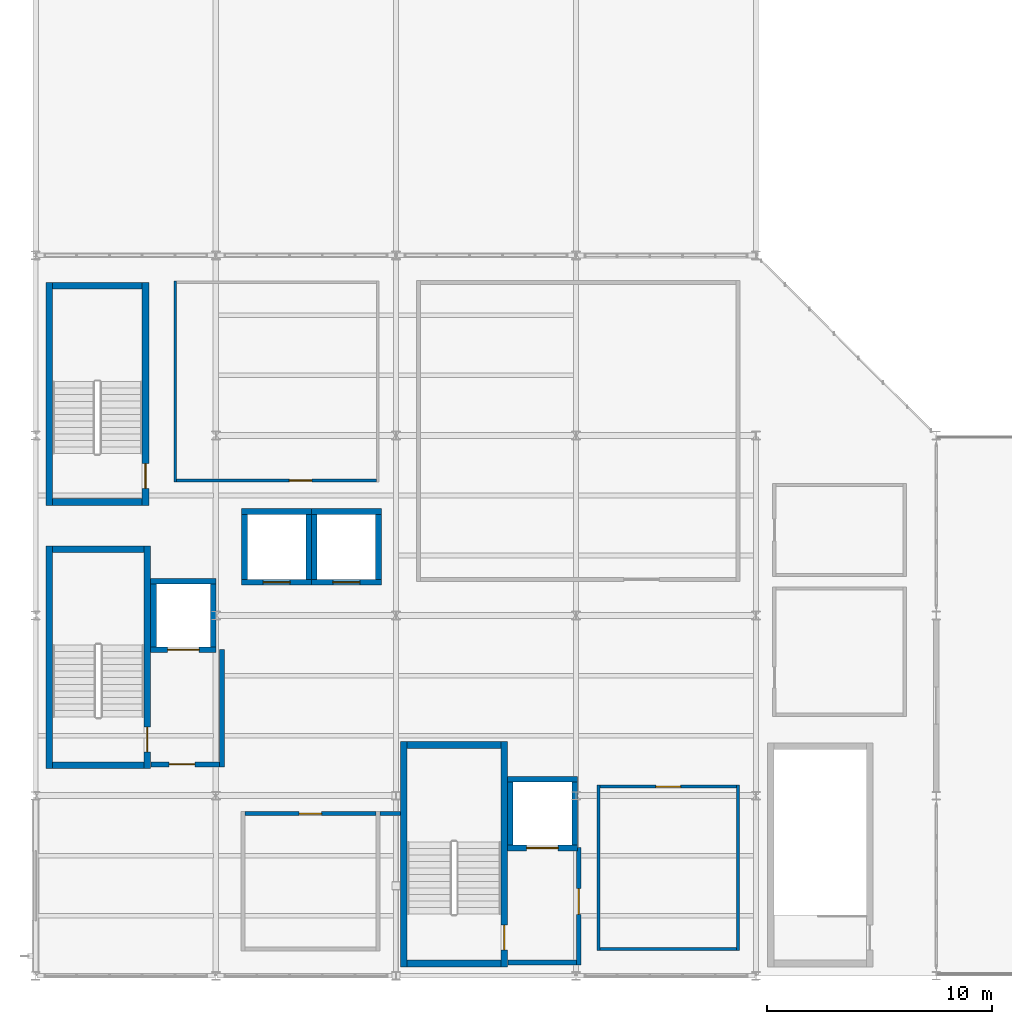
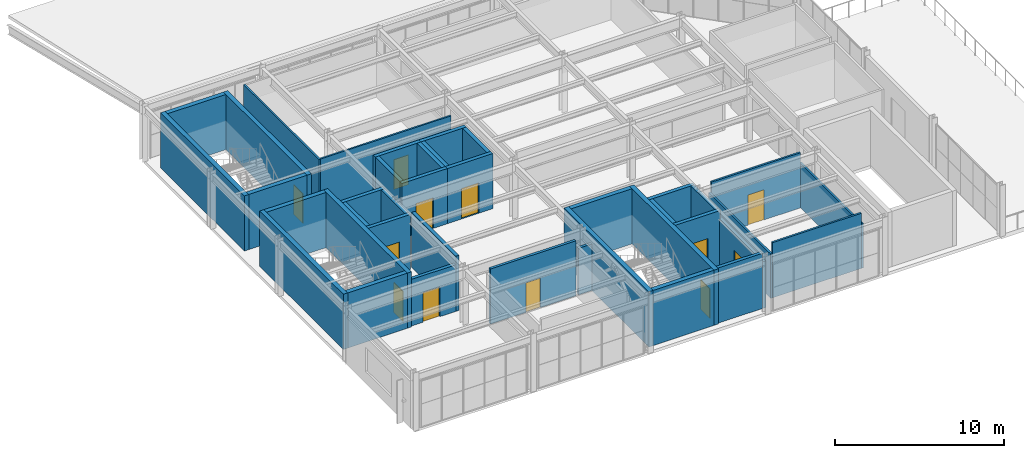
# One storey, part 20 of 27: 40 walls, 12 doors, 12 openings.
"""IFC4 building model written with IfcOpenShell, lengths in metres."""

from ifc_helpers import new_model, si_unit, direction, frame, frame_2d, origin, place, context, subcontext, project, spatial, rectangle, extrude, material, layer, layer_set, type_object, element, fill, save


model = new_model("IFC4")

# Units and contexts
model_context = context("Model", 3, precision=1e-05, world=origin(), true_north=direction((0.0, 1.0)))
body_context = subcontext(model_context, "Body", "Model", "MODEL_VIEW")
ifc_project = project(units=[si_unit("LENGTHUNIT", "METRE"), si_unit("AREAUNIT", "SQUARE_METRE"), si_unit("VOLUMEUNIT", "CUBIC_METRE"), si_unit("PLANEANGLEUNIT", "RADIAN"), si_unit("MASSUNIT", "GRAM", prefix="KILO")], contexts=[model_context])

# Site, building, storey
site_placement = place(None, origin())
site = spatial("IfcSite", under=ifc_project, at=site_placement, CompositionType="ELEMENT")
building_placement = place(site_placement, origin())
building = spatial("IfcBuilding", under=site, at=building_placement, Name="Drelvath Fold Interchange", CompositionType="ELEMENT")
storey_placement = place(building_placement, frame((0.0, 0.0, 19.800048828125)))
storey = spatial("IfcBuildingStorey", under=building, at=storey_placement, Name="L04", CompositionType="ELEMENT", Elevation=19.800048828125)

# Wall
ifc_material_1 = material(Name="Concrete f'c 45 MPa (6500 psi)", Category="concrete")
ifc_layer_1 = layer(ifc_material_1, 0.300048828125, Name="Concrete f'c 45 MPa (6500 psi)")
ifc_layer_set_1 = layer_set([ifc_layer_1], Name="Concrete f'c 45 MPa (6500 psi)")
wall_type_1 = type_object("IfcWallType", Name="WL-CR300", PredefinedType="SHEAR", material=ifc_layer_set_1)
wall_1_placement = place(storey_placement, frame((4.75, 12.35009765625, 0.0), z_axis=(0.0, 0.0, 1.0), x_axis=(1.0, 0.0, 0.0)))
element("IfcWall", 1, at=wall_1_placement, inside=storey, type_object=wall_type_1, Name="ST-01 L04 south core wall", PredefinedType="SHEAR", context=body_context, shape_type="SweptSolid", body=[
    extrude(rectangle(XDim=4.06005859375, YDim=0.300048828125, at=frame_2d((2.030029296875, 0.0))), origin(), (0.0, 0.0, 1.0), 3.97998046875),
])

# Wall, opening, door
wall_2_placement = place(storey_placement, frame((8.9599609375, 12.199951171875, 0.0), z_axis=(0.0, 0.0, 1.0), x_axis=(0.0, 1.0, 0.0)))
wall_2 = element("IfcWall", 2, at=wall_2_placement, inside=storey, type_object=wall_type_1, Name="ST-01 L04 east core wall", PredefinedType="SHEAR", context=body_context, shape_type="SweptSolid", body=[
    extrude(rectangle(XDim=9.900146484375, YDim=0.300048828125, at=frame_2d((4.9501953125, 0.0))), origin(), (0.0, 0.0, 1.0), 3.97998046875),
])
opening_1_placement = place(wall_2_placement, frame((0.75, 0.0, 0.0)))
opening_1 = element("IfcOpeningElement", 3, at=opening_1_placement, cuts=wall_2, Name="Opening D-L04-007", PredefinedType="OPENING", context=body_context, shape_type="SweptSolid", body=[
    extrude(rectangle(XDim=1.10009765625, YDim=2.14990234375, at=frame_2d((0.550048828125, 1.074951171875))), frame((0.0, 0.159912109375, 0.0), z_axis=(0.0, -1.0, 0.0), x_axis=(1.0, 0.0, 0.0)), (0.0, 0.0, 1.0), 0.320068359375),
])
ifc_material_2 = material(Name="Insulated Hollow Metal Door Assembly")
door_type_1 = type_object("IfcDoorType", Name="DR-ST1100", OperationType="NOTDEFINED", PredefinedType="DOOR", material=ifc_material_2)
door_1_placement = place(opening_1_placement, origin())
door_1 = element("IfcDoor", 4, at=door_1_placement, inside=storey, type_object=door_type_1, Name="ST-01 L04 stair fire door D-L04-007", OperationType="SINGLE_SWING_LEFT", OverallHeight=2.14990234375, OverallWidth=1.10009765625, PredefinedType="DOOR", context=body_context, shape_type="SweptSolid", body=[
    extrude(rectangle(XDim=1.10009765625, YDim=2.14990234375, at=frame_2d((0.550048828125, 1.074951171875))), frame((0.0, 0.02490234375, 0.0), z_axis=(0.0, -1.0, 0.0), x_axis=(1.0, 0.0, 0.0)), (0.0, 0.0, 1.0), 0.050048828125),
])
fill(opening_1, door_1)

# Walls
wall_3_placement = place(storey_placement, frame((8.81005859375, 21.949951171875, 0.0), z_axis=(0.0, 0.0, 1.0), x_axis=(-1.0, 0.0, 0.0)))
element("IfcWall", 5, at=wall_3_placement, inside=storey, type_object=wall_type_1, Name="ST-01 L04 north core wall", PredefinedType="SHEAR", context=body_context, shape_type="SweptSolid", body=[
    extrude(rectangle(XDim=4.06005859375, YDim=0.300048828125, at=frame_2d((2.030029296875, 0.0))), origin(), (0.0, 0.0, 1.0), 3.97998046875),
])
wall_4_placement = place(storey_placement, frame((4.60009765625, 22.10009765625, 0.0), z_axis=(0.0, 0.0, 1.0), x_axis=(0.0, -1.0, 0.0)))
element("IfcWall", 6, at=wall_4_placement, inside=storey, type_object=wall_type_1, Name="ST-01 L04 west core wall", PredefinedType="SHEAR", context=body_context, shape_type="SweptSolid", body=[
    extrude(rectangle(XDim=9.900146484375, YDim=0.300048828125, at=frame_2d((4.9501953125, 0.0))), origin(), (0.0, 0.0, 1.0), 3.97998046875),
])
wall_5_placement = place(storey_placement, frame((4.75, 24.050048828125, 0.0), z_axis=(0.0, 0.0, 1.0), x_axis=(1.0, 0.0, 0.0)))
element("IfcWall", 7, at=wall_5_placement, inside=storey, type_object=wall_type_1, Name="ST-02 L04 south core wall", PredefinedType="SHEAR", context=body_context, shape_type="SweptSolid", body=[
    extrude(rectangle(XDim=3.97998046875, YDim=0.300048828125, at=frame_2d((1.989990234375, 0.0))), origin(), (0.0, 0.0, 1.0), 3.97998046875),
])

# Wall, opening, door
wall_6_placement = place(storey_placement, frame((8.8798828125, 23.89990234375, 0.0), z_axis=(0.0, 0.0, 1.0), x_axis=(0.0, 1.0, 0.0)))
wall_6 = element("IfcWall", 8, at=wall_6_placement, inside=storey, type_object=wall_type_1, Name="ST-02 L04 east core wall", PredefinedType="SHEAR", context=body_context, shape_type="SweptSolid", body=[
    extrude(rectangle(XDim=9.900146484375, YDim=0.300048828125, at=frame_2d((4.9501953125, 0.0))), origin(), (0.0, 0.0, 1.0), 3.97998046875),
])
opening_2_placement = place(wall_6_placement, frame((0.75, 0.0, 0.0)))
opening_2 = element("IfcOpeningElement", 9, at=opening_2_placement, cuts=wall_6, Name="Opening D-L04-015", PredefinedType="OPENING", context=body_context, shape_type="SweptSolid", body=[
    extrude(rectangle(XDim=1.10009765625, YDim=2.14990234375, at=frame_2d((0.550048828125, 1.074951171875))), frame((0.0, 0.159912109375, 0.0), z_axis=(0.0, -1.0, 0.0), x_axis=(1.0, 0.0, 0.0)), (0.0, 0.0, 1.0), 0.320068359375),
])
door_2_placement = place(opening_2_placement, origin())
door_2 = element("IfcDoor", 10, at=door_2_placement, inside=storey, type_object=door_type_1, Name="ST-02 L04 stair fire door D-L04-015", OperationType="SINGLE_SWING_LEFT", OverallHeight=2.14990234375, OverallWidth=1.10009765625, PredefinedType="DOOR", context=body_context, shape_type="SweptSolid", body=[
    extrude(rectangle(XDim=1.10009765625, YDim=2.14990234375, at=frame_2d((0.550048828125, 1.074951171875))), frame((0.0, 0.02490234375, 0.0), z_axis=(0.0, -1.0, 0.0), x_axis=(1.0, 0.0, 0.0)), (0.0, 0.0, 1.0), 0.050048828125),
])
fill(opening_2, door_2)

# Walls
wall_7_placement = place(storey_placement, frame((8.72998046875, 33.64990234375, 0.0), z_axis=(0.0, 0.0, 1.0), x_axis=(-1.0, 0.0, 0.0)))
element("IfcWall", 11, at=wall_7_placement, inside=storey, type_object=wall_type_1, Name="ST-02 L04 north core wall", PredefinedType="SHEAR", context=body_context, shape_type="SweptSolid", body=[
    extrude(rectangle(XDim=3.97998046875, YDim=0.300048828125, at=frame_2d((1.989990234375, 0.0))), origin(), (0.0, 0.0, 1.0), 3.97998046875),
])
wall_8_placement = place(storey_placement, frame((4.60009765625, 33.800048828125, 0.0), z_axis=(0.0, 0.0, 1.0), x_axis=(0.0, -1.0, 0.0)))
element("IfcWall", 12, at=wall_8_placement, inside=storey, type_object=wall_type_1, Name="ST-02 L04 west core wall", PredefinedType="SHEAR", context=body_context, shape_type="SweptSolid", body=[
    extrude(rectangle(XDim=9.900146484375, YDim=0.300048828125, at=frame_2d((4.9501953125, 0.0))), origin(), (0.0, 0.0, 1.0), 3.97998046875),
])
wall_9_placement = place(storey_placement, frame((20.5, 3.550048828125, 0.0), z_axis=(0.0, 0.0, 1.0), x_axis=(1.0, 0.0, 0.0)))
element("IfcWall", 13, at=wall_9_placement, inside=storey, type_object=wall_type_1, Name="ST-03 L04 south core wall", PredefinedType="SHEAR", context=body_context, shape_type="SweptSolid", body=[
    extrude(rectangle(XDim=4.159912109375, YDim=0.300048828125, at=frame_2d((2.080078125, 0.0))), origin(), (0.0, 0.0, 1.0), 3.97998046875),
])

# Wall, opening, door
wall_10_placement = place(storey_placement, frame((24.81005859375, 3.39990234375, 0.0), z_axis=(0.0, 0.0, 1.0), x_axis=(0.0, 1.0, 0.0)))
wall_10 = element("IfcWall", 14, at=wall_10_placement, inside=storey, type_object=wall_type_1, Name="ST-03 L04 east core wall", PredefinedType="SHEAR", context=body_context, shape_type="SweptSolid", body=[
    extrude(rectangle(XDim=10.0, YDim=0.300048828125, at=frame_2d((5.0, 0.0))), origin(), (0.0, 0.0, 1.0), 3.97998046875),
])
opening_3_placement = place(wall_10_placement, frame((0.75, 0.0, 0.0)))
opening_3 = element("IfcOpeningElement", 15, at=opening_3_placement, cuts=wall_10, Name="Opening D-L04-023", PredefinedType="OPENING", context=body_context, shape_type="SweptSolid", body=[
    extrude(rectangle(XDim=1.10009765625, YDim=2.14990234375, at=frame_2d((0.550048828125, 1.074951171875))), frame((0.0, 0.159912109375, 0.0), z_axis=(0.0, -1.0, 0.0), x_axis=(1.0, 0.0, 0.0)), (0.0, 0.0, 1.0), 0.320068359375),
])
door_3_placement = place(opening_3_placement, origin())
door_3 = element("IfcDoor", 16, at=door_3_placement, inside=storey, type_object=door_type_1, Name="ST-03 L04 stair fire door D-L04-023", OperationType="SINGLE_SWING_LEFT", OverallHeight=2.14990234375, OverallWidth=1.10009765625, PredefinedType="DOOR", context=body_context, shape_type="SweptSolid", body=[
    extrude(rectangle(XDim=1.10009765625, YDim=2.14990234375, at=frame_2d((0.550048828125, 1.074951171875))), frame((0.0, 0.02490234375, 0.0), z_axis=(0.0, -1.0, 0.0), x_axis=(1.0, 0.0, 0.0)), (0.0, 0.0, 1.0), 0.050048828125),
])
fill(opening_3, door_3)

# Walls
wall_11_placement = place(storey_placement, frame((24.659912109375, 13.25, 0.0), z_axis=(0.0, 0.0, 1.0), x_axis=(-1.0, 0.0, 0.0)))
element("IfcWall", 17, at=wall_11_placement, inside=storey, type_object=wall_type_1, Name="ST-03 L04 north core wall", PredefinedType="SHEAR", context=body_context, shape_type="SweptSolid", body=[
    extrude(rectangle(XDim=4.159912109375, YDim=0.300048828125, at=frame_2d((2.080078125, 0.0))), origin(), (0.0, 0.0, 1.0), 3.97998046875),
])
wall_12_placement = place(storey_placement, frame((20.35009765625, 13.39990234375, 0.0), z_axis=(0.0, 0.0, 1.0), x_axis=(0.0, -1.0, 0.0)))
element("IfcWall", 18, at=wall_12_placement, inside=storey, type_object=wall_type_1, Name="ST-03 L04 west core wall", PredefinedType="SHEAR", context=body_context, shape_type="SweptSolid", body=[
    extrude(rectangle(XDim=10.0, YDim=0.300048828125, at=frame_2d((5.0, 0.0))), origin(), (0.0, 0.0, 1.0), 3.97998046875),
])

# Wall, opening, door
ifc_layer_2 = layer(ifc_material_1, 0.219970703125, Name="Concrete f'c 45 MPa (6500 psi)")
ifc_layer_set_2 = layer_set([ifc_layer_2], Name="Concrete f'c 45 MPa (6500 psi)")
wall_type_2 = type_object("IfcWallType", Name="WL-FF220", PredefinedType="SOLIDWALL", material=ifc_layer_set_2)
wall_13_placement = place(storey_placement, frame((9.1201171875, 12.389892578125, 0.0), z_axis=(0.0, 0.0, 1.0), x_axis=(1.0, 0.0, 0.0)))
wall_13 = element("IfcWall", 19, at=wall_13_placement, inside=storey, type_object=wall_type_2, Name="Firefighting Lift Lobby FF-1 L04 south rated wall", PredefinedType="SOLIDWALL", context=body_context, shape_type="SweptSolid", body=[
    extrude(rectangle(XDim=3.039794921875, YDim=0.219970703125, at=frame_2d((1.52001953125, 0.0))), origin(), (0.0, 0.0, 1.0), 3.364013671875),
])
opening_4_placement = place(wall_13_placement, frame((0.804931640625, 0.0, 0.0)))
opening_4 = element("IfcOpeningElement", 20, at=opening_4_placement, cuts=wall_13, Name="Opening D-L04-054", PredefinedType="OPENING", context=body_context, shape_type="SweptSolid", body=[
    extrude(rectangle(XDim=1.14990234375, YDim=2.14990234375, at=frame_2d((0.574951171875, 1.074951171875))), frame((0.0, 0.119873046875, 0.0), z_axis=(0.0, -1.0, 0.0), x_axis=(1.0, 0.0, 0.0)), (0.0, 0.0, 1.0), 0.239990234375),
])
door_type_2 = type_object("IfcDoorType", Name="DR-FF1150", OperationType="NOTDEFINED", PredefinedType="DOOR", material=ifc_material_2)
door_4_placement = place(opening_4_placement, frame((1.14990234375, 0.0, 0.0), z_axis=(0.0, 0.0, 1.0), x_axis=(-1.0, 0.0, 0.0)))
door_4 = element("IfcDoor", 21, at=door_4_placement, inside=storey, type_object=door_type_2, Name="Firefighting Lift Lobby FF-1 L04 corridor fire door D-L04-054", OperationType="SINGLE_SWING_RIGHT", OverallHeight=2.14990234375, OverallWidth=1.14990234375, PredefinedType="DOOR", context=body_context, shape_type="SweptSolid", body=[
    extrude(rectangle(XDim=1.14990234375, YDim=2.14990234375, at=frame_2d((0.574951171875, 1.074951171875))), frame((0.0, 0.02490234375, 0.0), z_axis=(0.0, -1.0, 0.0), x_axis=(1.0, 0.0, 0.0)), (0.0, 0.0, 1.0), 0.050048828125),
])
fill(opening_4, door_4)

# Walls
wall_14_placement = place(storey_placement, frame((12.27001953125, 12.280029296875, 0.0), z_axis=(0.0, 0.0, 1.0), x_axis=(0.0, 1.0, 0.0)))
element("IfcWall", 22, at=wall_14_placement, inside=storey, type_object=wall_type_2, Name="Firefighting Lift Lobby FF-1 L04 east rated wall", PredefinedType="SOLIDWALL", context=body_context, shape_type="SweptSolid", body=[
    extrude(rectangle(XDim=5.2099609375, YDim=0.219970703125, at=frame_2d((2.60498046875, 0.0))), origin(), (0.0, 0.0, 1.0), 3.97998046875),
])
wall_15_placement = place(storey_placement, frame((24.969970703125, 3.590087890625, 0.0), z_axis=(0.0, 0.0, 1.0), x_axis=(1.0, 0.0, 0.0)))
element("IfcWall", 23, at=wall_15_placement, inside=storey, type_object=wall_type_2, Name="Firefighting Lift Lobby FF-2 L04 south rated wall", PredefinedType="SOLIDWALL", context=body_context, shape_type="SweptSolid", body=[
    extrude(rectangle(XDim=3.0400390625, YDim=0.219970703125, at=frame_2d((1.52001953125, 0.0))), origin(), (0.0, 0.0, 1.0), 3.97998046875),
])

# Wall, opening, door
wall_16_placement = place(storey_placement, frame((28.1201171875, 3.47998046875, 0.0), z_axis=(0.0, 0.0, 1.0), x_axis=(0.0, 1.0, 0.0)))
wall_16 = element("IfcWall", 24, at=wall_16_placement, inside=storey, type_object=wall_type_2, Name="Firefighting Lift Lobby FF-2 L04 east rated wall", PredefinedType="SOLIDWALL", context=body_context, shape_type="SweptSolid", body=[
    extrude(rectangle(XDim=5.2099609375, YDim=0.219970703125, at=frame_2d((2.60498046875, 0.0))), origin(), (0.0, 0.0, 1.0), 3.364013671875),
])
opening_5_placement = place(wall_16_placement, frame((2.2451171875, 0.0, 0.0)))
opening_5 = element("IfcOpeningElement", 25, at=opening_5_placement, cuts=wall_16, Name="Opening D-L04-062", PredefinedType="OPENING", context=body_context, shape_type="SweptSolid", body=[
    extrude(rectangle(XDim=1.14990234375, YDim=2.14990234375, at=frame_2d((0.574951171875, 1.074951171875))), frame((0.0, 0.119873046875, 0.0), z_axis=(0.0, -1.0, 0.0), x_axis=(1.0, 0.0, 0.0)), (0.0, 0.0, 1.0), 0.239990234375),
])
door_5_placement = place(opening_5_placement, origin())
door_5 = element("IfcDoor", 26, at=door_5_placement, inside=storey, type_object=door_type_2, Name="Firefighting Lift Lobby FF-2 L04 corridor fire door D-L04-062", OperationType="SINGLE_SWING_RIGHT", OverallHeight=2.14990234375, OverallWidth=1.14990234375, PredefinedType="DOOR", context=body_context, shape_type="SweptSolid", body=[
    extrude(rectangle(XDim=1.14990234375, YDim=2.14990234375, at=frame_2d((0.574951171875, 1.074951171875))), frame((0.0, 0.02490234375, 0.0), z_axis=(0.0, -1.0, 0.0), x_axis=(1.0, 0.0, 0.0)), (0.0, 0.0, 1.0), 0.050048828125),
])
fill(opening_5, door_5)

# Wall
ifc_material_3 = material(Name="Fire-Rated Gypsum Board Assembly")
ifc_layer_3 = layer(ifc_material_3, 0.179931640625, Name="Fire-Rated Gypsum Board Assembly")
ifc_layer_set_3 = layer_set([ifc_layer_3], Name="Fire-Rated Gypsum Board Assembly")
wall_type_3 = type_object("IfcWallType", Name="WL-FR180", PredefinedType="PARTITIONING", material=ifc_layer_set_3)
wall_17_placement = place(storey_placement, frame((19.2900390625, 10.199951171875, 0.0), z_axis=(0.0, 0.0, 1.0), x_axis=(1.0, 0.0, 0.0)))
element("IfcWall", 27, at=wall_17_placement, inside=storey, type_object=wall_type_3, Name="L04 braced frame shaft closure partition", PredefinedType="PARTITIONING", context=body_context, shape_type="SweptSolid", body=[
    extrude(rectangle(XDim=0.909912109375, YDim=0.179931640625, at=frame_2d((0.455078125, 0.0))), origin(), (0.0, 0.0, 1.0), 3.364013671875),
])

# Wall, opening, door
wall_18_placement = place(storey_placement, frame((19.110107421875, 10.199951171875, 0.0), z_axis=(0.0, 0.0, 1.0), x_axis=(-1.0, 0.0, 0.0)))
wall_18 = element("IfcWall", 28, at=wall_18_placement, inside=storey, type_object=wall_type_3, Name="Emergency Radio Dispatch Room N partition", PredefinedType="PARTITIONING", context=body_context, shape_type="SweptSolid", body=[
    extrude(rectangle(XDim=5.820068359375, YDim=0.179931640625, at=frame_2d((2.91015625, 0.0))), origin(), (0.0, 0.0, 1.0), 3.97998046875),
])
opening_6_placement = place(wall_18_placement, frame((2.409912109375, 0.0, 0.0)))
opening_6 = element("IfcOpeningElement", 29, at=opening_6_placement, cuts=wall_18, Name="Opening D-L04-134", PredefinedType="OPENING", context=body_context, shape_type="SweptSolid", body=[
    extrude(rectangle(XDim=1.0, YDim=2.139892578125, at=frame_2d((0.5, 1.06982421875))), frame((0.0, 0.099853515625, 0.0), z_axis=(0.0, -1.0, 0.0), x_axis=(1.0, 0.0, 0.0)), (0.0, 0.0, 1.0), 0.199951171875),
])
door_type_3 = type_object("IfcDoorType", Name="DR-FD100", OperationType="NOTDEFINED", PredefinedType="DOOR", material=ifc_material_2)
door_6_placement = place(opening_6_placement, origin())
door_6 = element("IfcDoor", 30, at=door_6_placement, inside=storey, type_object=door_type_3, Name="Emergency Radio Dispatch Room door D-L04-134", OperationType="SINGLE_SWING_LEFT", OverallHeight=2.139892578125, OverallWidth=1.0, PredefinedType="DOOR", context=body_context, shape_type="SweptSolid", body=[
    extrude(rectangle(XDim=1.0, YDim=2.139892578125, at=frame_2d((0.5, 1.06982421875))), frame((0.0, 0.02490234375, 0.0), z_axis=(0.0, -1.0, 0.0), x_axis=(1.0, 0.0, 0.0)), (0.0, 0.0, 1.0), 0.050048828125),
])
fill(opening_6, door_6)

ifc_material_4 = material(Name="Acoustic Gypsum Board Partition Assembly")
ifc_layer_4 = layer(ifc_material_4, 0.114990234375, Name="Acoustic Gypsum Board Partition Assembly")
ifc_layer_set_4 = layer_set([ifc_layer_4], Name="Acoustic Gypsum Board Partition Assembly")
wall_type_4 = type_object("IfcWallType", Name="WL-PT115", PredefinedType="PARTITIONING", material=ifc_layer_set_4)
wall_19_placement = place(storey_placement, frame((10.257080078125, 25.0, 0.0), z_axis=(0.0, 0.0, 1.0), x_axis=(1.0, 0.0, 0.0)))
wall_19 = element("IfcWall", 31, at=wall_19_placement, inside=storey, type_object=wall_type_4, Name="Operator Duty Rest Room S partition", PredefinedType="PARTITIONING", context=body_context, shape_type="SweptSolid", body=[
    extrude(rectangle(XDim=8.885009765625, YDim=0.114990234375, at=frame_2d((4.4423828125, 0.0))), origin(), (0.0, 0.0, 1.0), 3.97998046875),
])
opening_7_placement = place(wall_19_placement, frame((5.009033203125, 0.0, 0.0)))
opening_7 = element("IfcOpeningElement", 32, at=opening_7_placement, cuts=wall_19, Name="Opening D-L04-135", PredefinedType="OPENING", context=body_context, shape_type="SweptSolid", body=[
    extrude(rectangle(XDim=1.0, YDim=2.14990234375, at=frame_2d((0.5, 1.074951171875))), frame((0.0, 0.0673828125, 0.0), z_axis=(0.0, -1.0, 0.0), x_axis=(1.0, 0.0, 0.0)), (0.0, 0.0, 1.0), 0.135009765625),
])
ifc_material_5 = material(Name="Anodized Aluminium Glazed Door Assembly", Category="aluminium")
door_type_4 = type_object("IfcDoorType", Name="DR-NR100", OperationType="NOTDEFINED", PredefinedType="DOOR", material=ifc_material_5)
door_7_placement = place(opening_7_placement, origin())
door_7 = element("IfcDoor", 33, at=door_7_placement, inside=storey, type_object=door_type_4, Name="Operator Duty Rest Room door D-L04-135", OperationType="SINGLE_SWING_RIGHT", OverallHeight=2.14990234375, OverallWidth=1.0, PredefinedType="DOOR", context=body_context, shape_type="SweptSolid", body=[
    extrude(rectangle(XDim=1.0, YDim=2.14990234375, at=frame_2d((0.5, 1.074951171875))), frame((0.0, 0.02490234375, 0.0), z_axis=(0.0, -1.0, 0.0), x_axis=(1.0, 0.0, 0.0)), (0.0, 0.0, 1.0), 0.050048828125),
])
fill(opening_7, door_7)

# Walls
wall_20_placement = place(storey_placement, frame((10.199951171875, 33.85693359375, 0.0), z_axis=(0.0, 0.0, 1.0), x_axis=(0.0, -1.0, 0.0)))
element("IfcWall", 34, at=wall_20_placement, inside=storey, type_object=wall_type_4, Name="Operator Duty Rest Room W partition", PredefinedType="PARTITIONING", context=body_context, shape_type="SweptSolid", body=[
    extrude(rectangle(XDim=8.9150390625, YDim=0.114990234375, at=frame_2d((4.45751953125, 0.0))), origin(), (0.0, 0.0, 1.0), 3.97998046875),
])
ifc_layer_5 = layer(ifc_material_4, 0.1298828125, Name="Acoustic Gypsum Board Partition Assembly")
ifc_layer_set_5 = layer_set([ifc_layer_5], Name="Acoustic Gypsum Board Partition Assembly")
wall_type_5 = type_object("IfcWallType", Name="WL-PT130", PredefinedType="PARTITIONING", material=ifc_layer_set_5)
wall_21_placement = place(storey_placement, frame((29.06494140625, 4.199951171875, 0.0), z_axis=(0.0, 0.0, 1.0), x_axis=(1.0, 0.0, 0.0)))
element("IfcWall", 35, at=wall_21_placement, inside=storey, type_object=wall_type_5, Name="Public Information Press Briefing Room S partition", PredefinedType="PARTITIONING", context=body_context, shape_type="SweptSolid", body=[
    extrude(rectangle(XDim=6.070068359375, YDim=0.1298828125, at=frame_2d((3.03515625, 0.0))), origin(), (0.0, 0.0, 1.0), 3.97998046875),
])
wall_22_placement = place(storey_placement, frame((35.199951171875, 4.135009765625, 0.0), z_axis=(0.0, 0.0, 1.0), x_axis=(0.0, 1.0, 0.0)))
element("IfcWall", 36, at=wall_22_placement, inside=storey, type_object=wall_type_5, Name="Public Information Press Briefing Room E partition", PredefinedType="PARTITIONING", context=body_context, shape_type="SweptSolid", body=[
    extrude(rectangle(XDim=7.330078125, YDim=0.1298828125, at=frame_2d((3.6650390625, 0.0))), origin(), (0.0, 0.0, 1.0), 3.199951171875),
])

# Wall, opening, door
wall_23_placement = place(storey_placement, frame((35.135009765625, 11.39990234375, 0.0), z_axis=(0.0, 0.0, 1.0), x_axis=(-1.0, 0.0, 0.0)))
wall_23 = element("IfcWall", 37, at=wall_23_placement, inside=storey, type_object=wall_type_5, Name="Public Information Press Briefing Room N partition", PredefinedType="PARTITIONING", context=body_context, shape_type="SweptSolid", body=[
    extrude(rectangle(XDim=6.070068359375, YDim=0.1298828125, at=frame_2d((3.03515625, 0.0))), origin(), (0.0, 0.0, 1.0), 3.97998046875),
])
opening_8_placement = place(wall_23_placement, frame((2.485107421875, 0.0, 0.0)))
opening_8 = element("IfcOpeningElement", 38, at=opening_8_placement, cuts=wall_23, Name="Opening D-L04-133", PredefinedType="OPENING", context=body_context, shape_type="SweptSolid", body=[
    extrude(rectangle(XDim=1.10009765625, YDim=2.179931640625, at=frame_2d((0.550048828125, 1.08984375))), frame((0.0, 0.074951171875, 0.0), z_axis=(0.0, -1.0, 0.0), x_axis=(1.0, 0.0, 0.0)), (0.0, 0.0, 1.0), 0.14990234375),
])
door_type_5 = type_object("IfcDoorType", Name="DR-NR110", OperationType="NOTDEFINED", PredefinedType="DOOR", material=ifc_material_5)
door_8_placement = place(opening_8_placement, origin())
door_8 = element("IfcDoor", 39, at=door_8_placement, inside=storey, type_object=door_type_5, Name="Public Information Press Briefing Room door D-L04-133", OperationType="SINGLE_SWING_RIGHT", OverallHeight=2.179931640625, OverallWidth=1.10009765625, PredefinedType="DOOR", context=body_context, shape_type="SweptSolid", body=[
    extrude(rectangle(XDim=1.10009765625, YDim=2.179931640625, at=frame_2d((0.550048828125, 1.08984375))), frame((0.0, 0.02490234375, 0.0), z_axis=(0.0, -1.0, 0.0), x_axis=(1.0, 0.0, 0.0)), (0.0, 0.0, 1.0), 0.050048828125),
])
fill(opening_8, door_8)

# Wall
wall_24_placement = place(storey_placement, frame((29.0, 11.465087890625, 0.0), z_axis=(0.0, 0.0, 1.0), x_axis=(0.0, -1.0, 0.0)))
element("IfcWall", 40, at=wall_24_placement, inside=storey, type_object=wall_type_5, Name="Public Information Press Briefing Room W partition", PredefinedType="PARTITIONING", context=body_context, shape_type="SweptSolid", body=[
    extrude(rectangle(XDim=7.330078125, YDim=0.1298828125, at=frame_2d((3.6650390625, 0.0))), origin(), (0.0, 0.0, 1.0), 3.199951171875),
])

# Wall, opening, door
ifc_layer_6 = layer(ifc_material_1, 0.25, Name="Concrete f'c 45 MPa (6500 psi)")
ifc_layer_set_6 = layer_set([ifc_layer_6], Name="Concrete f'c 45 MPa (6500 psi)")
wall_type_6 = type_object("IfcWallType", Name="WL-SH250", PredefinedType="SOLIDWALL", material=ifc_layer_set_6)
wall_25_placement = place(storey_placement, frame((9.110107421875, 17.47509765625, 0.0), z_axis=(0.0, 0.0, 1.0), x_axis=(1.0, 0.0, 0.0)))
wall_25 = element("IfcWall", 41, at=wall_25_placement, inside=storey, type_object=wall_type_6, Name="LF-FF1 L04 south shaft wall", PredefinedType="SOLIDWALL", context=body_context, shape_type="SweptSolid", body=[
    extrude(rectangle(XDim=2.89990234375, YDim=0.25, at=frame_2d((1.449951171875, 0.0))), origin(), (0.0, 0.0, 1.0), 3.97998046875),
])
opening_9_placement = place(wall_25_placement, frame((0.75, 0.0, 0.0)))
opening_9 = element("IfcOpeningElement", 42, at=opening_9_placement, cuts=wall_25, Name="Opening LD-LF-FF1-L04", PredefinedType="OPENING", context=body_context, shape_type="SweptSolid", body=[
    extrude(rectangle(XDim=1.39990234375, YDim=2.25, at=frame_2d((0.699951171875, 1.125))), frame((0.0, 0.135009765625, 0.0), z_axis=(0.0, -1.0, 0.0), x_axis=(1.0, 0.0, 0.0)), (0.0, 0.0, 1.0), 0.27001953125),
])
door_type_6 = type_object("IfcDoorType", Name="DR-LD1400", OperationType="DOUBLE_DOOR_SLIDING", PredefinedType="DOOR", material=ifc_material_2)
door_9_placement = place(opening_9_placement, frame((1.39990234375, 0.0, 0.0), z_axis=(0.0, 0.0, 1.0), x_axis=(-1.0, 0.0, 0.0)))
door_9 = element("IfcDoor", 43, at=door_9_placement, inside=storey, type_object=door_type_6, Name="LF-FF1 L04 lift landing sliding door LD-LF-FF1-L04", OperationType="DOUBLE_DOOR_SLIDING", OverallHeight=2.25, OverallWidth=1.39990234375, PredefinedType="DOOR", context=body_context, shape_type="SweptSolid", body=[
    extrude(rectangle(XDim=1.39990234375, YDim=2.25, at=frame_2d((0.699951171875, 1.125))), frame((0.0, 0.02490234375, 0.0), z_axis=(0.0, -1.0, 0.0), x_axis=(1.0, 0.0, 0.0)), (0.0, 0.0, 1.0), 0.050048828125),
])
fill(opening_9, door_9)

# Walls
wall_26_placement = place(storey_placement, frame((12.010009765625, 20.52490234375, 0.0), z_axis=(0.0, 0.0, 1.0), x_axis=(-1.0, 0.0, 0.0)))
element("IfcWall", 44, at=wall_26_placement, inside=storey, type_object=wall_type_6, Name="LF-FF1 L04 north shaft wall", PredefinedType="SOLIDWALL", context=body_context, shape_type="SweptSolid", body=[
    extrude(rectangle(XDim=2.89990234375, YDim=0.25, at=frame_2d((1.449951171875, 0.0))), origin(), (0.0, 0.0, 1.0), 3.97998046875),
])
for number, where, z_axis, x_axis, name in (
    (45, (11.885009765625, 17.60009765625, 0.0), (0.0, 0.0, 1.0), (0.0, 1.0, 0.0), "LF-FF1 L04 east shaft wall"),
    (46, (9.235107421875, 20.39990234375, 0.0), (0.0, 0.0, 1.0), (0.0, -1.0, 0.0), "LF-FF1 L04 west shaft wall"),
):
    element("IfcWall", number, at=place(storey_placement, frame(where, z_axis=z_axis, x_axis=x_axis)), inside=storey, type_object=wall_type_6, Name=name, PredefinedType="SOLIDWALL", context=body_context, shape_type="SweptSolid", body=[
        extrude(rectangle(XDim=2.7998046875, YDim=0.25, at=frame_2d((1.39990234375, 0.0))), origin(), (0.0, 0.0, 1.0), 3.97998046875),
    ])

# Wall, opening, door
wall_27_placement = place(storey_placement, frame((24.9599609375, 8.675048828125, 0.0), z_axis=(0.0, 0.0, 1.0), x_axis=(1.0, 0.0, 0.0)))
wall_27 = element("IfcWall", 47, at=wall_27_placement, inside=storey, type_object=wall_type_6, Name="LF-FF2 L04 south shaft wall", PredefinedType="SOLIDWALL", context=body_context, shape_type="SweptSolid", body=[
    extrude(rectangle(XDim=3.10009765625, YDim=0.25, at=frame_2d((1.550048828125, 0.0))), origin(), (0.0, 0.0, 1.0), 3.97998046875),
])
opening_10_placement = place(wall_27_placement, frame((0.85009765625, 0.0, 0.0)))
opening_10 = element("IfcOpeningElement", 48, at=opening_10_placement, cuts=wall_27, Name="Opening LD-LF-FF2-L04", PredefinedType="OPENING", context=body_context, shape_type="SweptSolid", body=[
    extrude(rectangle(XDim=1.39990234375, YDim=2.25, at=frame_2d((0.699951171875, 1.125))), frame((0.0, 0.135009765625, 0.0), z_axis=(0.0, -1.0, 0.0), x_axis=(1.0, 0.0, 0.0)), (0.0, 0.0, 1.0), 0.27001953125),
])
door_10_placement = place(opening_10_placement, frame((1.39990234375, 0.0, 0.0), z_axis=(0.0, 0.0, 1.0), x_axis=(-1.0, 0.0, 0.0)))
door_10 = element("IfcDoor", 49, at=door_10_placement, inside=storey, type_object=door_type_6, Name="LF-FF2 L04 lift landing sliding door LD-LF-FF2-L04", OperationType="DOUBLE_DOOR_SLIDING", OverallHeight=2.25, OverallWidth=1.39990234375, PredefinedType="DOOR", context=body_context, shape_type="SweptSolid", body=[
    extrude(rectangle(XDim=1.39990234375, YDim=2.25, at=frame_2d((0.699951171875, 1.125))), frame((0.0, 0.02490234375, 0.0), z_axis=(0.0, -1.0, 0.0), x_axis=(1.0, 0.0, 0.0)), (0.0, 0.0, 1.0), 0.050048828125),
])
fill(opening_10, door_10)

# Walls
wall_28_placement = place(storey_placement, frame((28.06005859375, 11.72509765625, 0.0), z_axis=(0.0, 0.0, 1.0), x_axis=(-1.0, 0.0, 0.0)))
element("IfcWall", 50, at=wall_28_placement, inside=storey, type_object=wall_type_6, Name="LF-FF2 L04 north shaft wall", PredefinedType="SOLIDWALL", context=body_context, shape_type="SweptSolid", body=[
    extrude(rectangle(XDim=3.10009765625, YDim=0.25, at=frame_2d((1.550048828125, 0.0))), origin(), (0.0, 0.0, 1.0), 3.97998046875),
])
for number, where, z_axis, x_axis, name in (
    (51, (27.93505859375, 8.800048828125, 0.0), (0.0, 0.0, 1.0), (0.0, 1.0, 0.0), "LF-FF2 L04 east shaft wall"),
    (52, (25.0849609375, 11.60009765625, 0.0), (0.0, 0.0, 1.0), (0.0, -1.0, 0.0), "LF-FF2 L04 west shaft wall"),
):
    element("IfcWall", number, at=place(storey_placement, frame(where, z_axis=z_axis, x_axis=x_axis)), inside=storey, type_object=wall_type_6, Name=name, PredefinedType="SOLIDWALL", context=body_context, shape_type="SweptSolid", body=[
        extrude(rectangle(XDim=2.800048828125, YDim=0.25, at=frame_2d((1.39990234375, 0.0))), origin(), (0.0, 0.0, 1.0), 3.97998046875),
    ])

# Wall, opening, door
wall_29_placement = place(storey_placement, frame((13.14990234375, 20.47509765625, 0.0), z_axis=(0.0, 0.0, 1.0), x_axis=(1.0, 0.0, 0.0)))
wall_29 = element("IfcWall", 53, at=wall_29_placement, inside=storey, type_object=wall_type_6, Name="LF-01 L04 south shaft wall", PredefinedType="SOLIDWALL", context=body_context, shape_type="SweptSolid", body=[
    extrude(rectangle(XDim=3.10009765625, YDim=0.25, at=frame_2d((1.550048828125, 0.0))), origin(), (0.0, 0.0, 1.0), 3.97998046875),
])
opening_11_placement = place(wall_29_placement, frame((0.949951171875, 0.0, 0.0)))
opening_11 = element("IfcOpeningElement", 54, at=opening_11_placement, cuts=wall_29, Name="Opening LD-LF-01-L04", PredefinedType="OPENING", context=body_context, shape_type="SweptSolid", body=[
    extrude(rectangle(XDim=1.199951171875, YDim=2.199951171875, at=frame_2d((0.60009765625, 1.10009765625))), frame((0.0, 0.135009765625, 0.0), z_axis=(0.0, -1.0, 0.0), x_axis=(1.0, 0.0, 0.0)), (0.0, 0.0, 1.0), 0.27001953125),
])
door_type_7 = type_object("IfcDoorType", Name="DR-LD1200", OperationType="DOUBLE_DOOR_SLIDING", PredefinedType="DOOR", material=ifc_material_2)
door_11_placement = place(opening_11_placement, frame((1.199951171875, 0.0, 0.0), z_axis=(0.0, 0.0, 1.0), x_axis=(-1.0, 0.0, 0.0)))
door_11 = element("IfcDoor", 55, at=door_11_placement, inside=storey, type_object=door_type_7, Name="LF-01 L04 lift landing sliding door LD-LF-01-L04", OperationType="DOUBLE_DOOR_SLIDING", OverallHeight=2.199951171875, OverallWidth=1.199951171875, PredefinedType="DOOR", context=body_context, shape_type="SweptSolid", body=[
    extrude(rectangle(XDim=1.199951171875, YDim=2.199951171875, at=frame_2d((0.60009765625, 1.10009765625))), frame((0.0, 0.02490234375, 0.0), z_axis=(0.0, -1.0, 0.0), x_axis=(1.0, 0.0, 0.0)), (0.0, 0.0, 1.0), 0.050048828125),
])
fill(opening_11, door_11)

# Walls
wall_30_placement = place(storey_placement, frame((16.25, 23.625, 0.0), z_axis=(0.0, 0.0, 1.0), x_axis=(-1.0, 0.0, 0.0)))
element("IfcWall", 56, at=wall_30_placement, inside=storey, type_object=wall_type_6, Name="LF-01 L04 north shaft wall", PredefinedType="SOLIDWALL", context=body_context, shape_type="SweptSolid", body=[
    extrude(rectangle(XDim=3.10009765625, YDim=0.25, at=frame_2d((1.550048828125, 0.0))), origin(), (0.0, 0.0, 1.0), 3.97998046875),
])
for number, where, z_axis, x_axis, name in (
    (57, (16.125, 20.60009765625, 0.0), (0.0, 0.0, 1.0), (0.0, 1.0, 0.0), "LF-01 L04 east shaft wall"),
    (58, (13.27490234375, 23.5, 0.0), (0.0, 0.0, 1.0), (0.0, -1.0, 0.0), "LF-01 L04 west shaft wall"),
):
    element("IfcWall", number, at=place(storey_placement, frame(where, z_axis=z_axis, x_axis=x_axis)), inside=storey, type_object=wall_type_6, Name=name, PredefinedType="SOLIDWALL", context=body_context, shape_type="SweptSolid", body=[
        extrude(rectangle(XDim=2.89990234375, YDim=0.25, at=frame_2d((1.449951171875, 0.0))), origin(), (0.0, 0.0, 1.0), 3.97998046875),
    ])

# Wall, opening, door
wall_31_placement = place(storey_placement, frame((16.25, 20.47509765625, 0.0), z_axis=(0.0, 0.0, 1.0), x_axis=(1.0, 0.0, 0.0)))
wall_31 = element("IfcWall", 59, at=wall_31_placement, inside=storey, type_object=wall_type_6, Name="LF-02 L04 south shaft wall", PredefinedType="SOLIDWALL", context=body_context, shape_type="SweptSolid", body=[
    extrude(rectangle(XDim=3.10009765625, YDim=0.25, at=frame_2d((1.550048828125, 0.0))), origin(), (0.0, 0.0, 1.0), 3.97998046875),
])
opening_12_placement = place(wall_31_placement, frame((0.949951171875, 0.0, 0.0)))
opening_12 = element("IfcOpeningElement", 60, at=opening_12_placement, cuts=wall_31, Name="Opening LD-LF-02-L04", PredefinedType="OPENING", context=body_context, shape_type="SweptSolid", body=[
    extrude(rectangle(XDim=1.199951171875, YDim=2.199951171875, at=frame_2d((0.60009765625, 1.10009765625))), frame((0.0, 0.135009765625, 0.0), z_axis=(0.0, -1.0, 0.0), x_axis=(1.0, 0.0, 0.0)), (0.0, 0.0, 1.0), 0.27001953125),
])
door_12_placement = place(opening_12_placement, frame((1.199951171875, 0.0, 0.0), z_axis=(0.0, 0.0, 1.0), x_axis=(-1.0, 0.0, 0.0)))
door_12 = element("IfcDoor", 61, at=door_12_placement, inside=storey, type_object=door_type_7, Name="LF-02 L04 lift landing sliding door LD-LF-02-L04", OperationType="DOUBLE_DOOR_SLIDING", OverallHeight=2.199951171875, OverallWidth=1.199951171875, PredefinedType="DOOR", context=body_context, shape_type="SweptSolid", body=[
    extrude(rectangle(XDim=1.199951171875, YDim=2.199951171875, at=frame_2d((0.60009765625, 1.10009765625))), frame((0.0, 0.02490234375, 0.0), z_axis=(0.0, -1.0, 0.0), x_axis=(1.0, 0.0, 0.0)), (0.0, 0.0, 1.0), 0.050048828125),
])
fill(opening_12, door_12)

# Walls
wall_32_placement = place(storey_placement, frame((19.35009765625, 23.625, 0.0), z_axis=(0.0, 0.0, 1.0), x_axis=(-1.0, 0.0, 0.0)))
element("IfcWall", 62, at=wall_32_placement, inside=storey, type_object=wall_type_6, Name="LF-02 L04 north shaft wall", PredefinedType="SOLIDWALL", context=body_context, shape_type="SweptSolid", body=[
    extrude(rectangle(XDim=3.10009765625, YDim=0.25, at=frame_2d((1.550048828125, 0.0))), origin(), (0.0, 0.0, 1.0), 3.97998046875),
])
for number, where, z_axis, x_axis, name in (
    (63, (19.22509765625, 20.60009765625, 0.0), (0.0, 0.0, 1.0), (0.0, 1.0, 0.0), "LF-02 L04 east shaft wall"),
    (64, (16.375, 23.5, 0.0), (0.0, 0.0, 1.0), (0.0, -1.0, 0.0), "LF-02 L04 west shaft wall"),
):
    element("IfcWall", number, at=place(storey_placement, frame(where, z_axis=z_axis, x_axis=x_axis)), inside=storey, type_object=wall_type_6, Name=name, PredefinedType="SOLIDWALL", context=body_context, shape_type="SweptSolid", body=[
        extrude(rectangle(XDim=2.89990234375, YDim=0.25, at=frame_2d((1.449951171875, 0.0))), origin(), (0.0, 0.0, 1.0), 3.97998046875),
    ])

save(model, "model.ifc")
